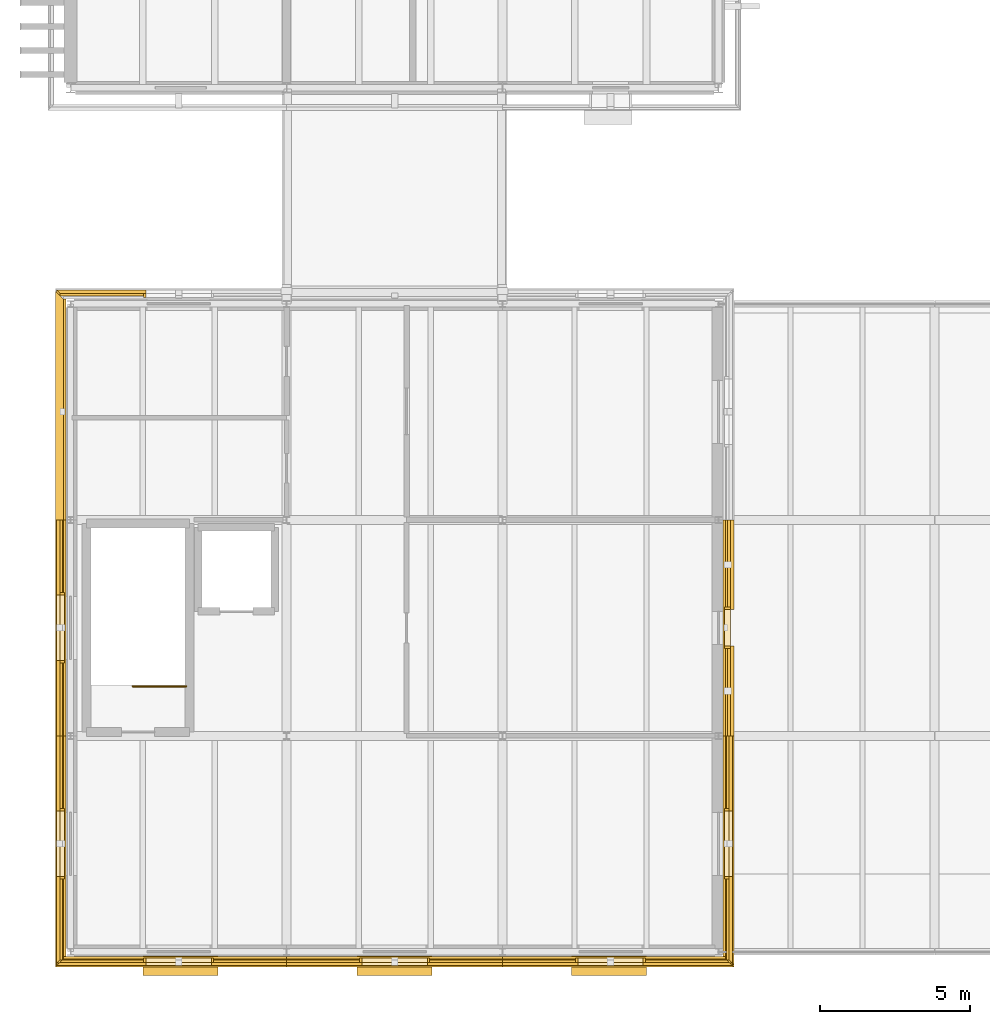
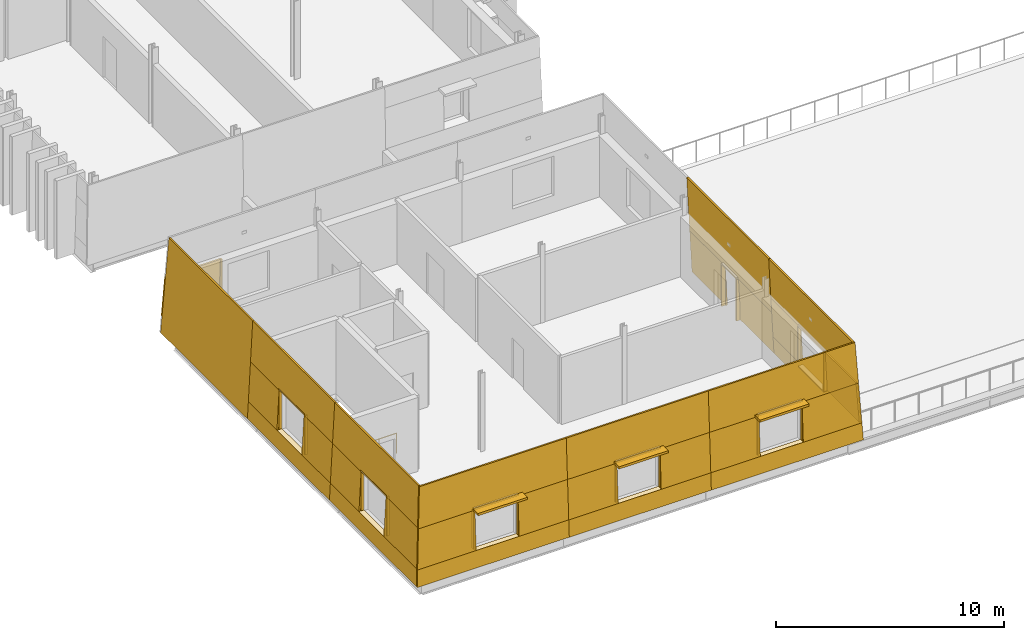
# One storey, part 91 of 115: 57 coverings, 3 shading devices, 1 railing.
"""IFC4 building model written with IfcOpenShell, lengths in metres."""

from ifc_helpers import new_model, si_unit, direction, frame, origin, origin_2d, place, context, subcontext, project, spatial, polyline, rectangle, circle, outline, extrude, material, layer, layer_set, type_object, element, save


model = new_model("IFC4")

# Units and contexts
model_context = context("Model", 3, precision=1e-05, world=origin(), true_north=direction((0.0, 1.0)))
body_context = subcontext(model_context, "Body", "Model", "MODEL_VIEW")
ifc_project = project(units=[si_unit("LENGTHUNIT", "METRE"), si_unit("AREAUNIT", "SQUARE_METRE"), si_unit("VOLUMEUNIT", "CUBIC_METRE"), si_unit("PLANEANGLEUNIT", "RADIAN"), si_unit("MASSUNIT", "GRAM", prefix="KILO")], contexts=[model_context])

# Site, building, storey
site_placement = place(None, origin())
site = spatial("IfcSite", under=ifc_project, at=site_placement, CompositionType="ELEMENT")
building_placement = place(site_placement, origin())
building = spatial("IfcBuilding", under=site, at=building_placement, Name="Narikvali Park Central Library", CompositionType="ELEMENT")
storey_placement = place(building_placement, frame((0.0, 0.0, 10.199951171875)))
storey = spatial("IfcBuildingStorey", under=building, at=storey_placement, Name="L02", CompositionType="ELEMENT", Elevation=10.199951171875)

# Coverings
ifc_material_1 = material(Name="White Honed Limestone Cladding", Category="masonry")
ifc_layer_1 = layer(ifc_material_1, 0.0849609375, Name="White Honed Limestone Cladding")
ifc_layer_set_1 = layer_set([ifc_layer_1], Name="White Honed Limestone Cladding")
covering_type_1 = type_object("IfcCoveringType", Name="Battered White Limestone Facade Cladding Panel", PredefinedType="CLADDING", material=ifc_layer_set_1)
covering_1_placement = place(storey_placement, frame((-0.50830078125, -0.50830078125, 0.0), z_axis=(0.0, -0.998646856064, 0.05200439283), x_axis=(1.0, 0.0, 0.0)))
element("IfcCovering", 1, at=covering_1_placement, inside=storey, type_object=covering_type_1, Name="V2 L02 S Battered Limestone Spandrel B01", PredefinedType="CLADDING", context=body_context, shape_type="SweptSolid", body=[
    extrude(outline(polyline([(0.0, 0.0), (7.708251953125, 0.0), (7.708251953125, 0.9013661625320046), (0.046875, 0.9013661625320046), (0.0, 0.0)])), origin(), (0.0, 0.0, -1.0), 0.0849609375),
])
covering_2_placement = place(storey_placement, frame((-0.35205078125, -0.35205078125, 3.0), z_axis=(0.0, -0.998644636632, 0.052046995369), x_axis=(1.0, 0.0, 0.0)))
element("IfcCovering", 2, at=covering_2_placement, inside=storey, type_object=covering_type_1, Name="V2 L02 S Battered Limestone Lintel B01", PredefinedType="CLADDING", context=body_context, shape_type="SweptSolid", body=[
    extrude(outline(polyline([(0.0, 0.0), (7.552001953125, 0.0), (7.552001953125, 2.1530646693576334), (0.112060546875, 2.1530646693576334), (0.0, 0.0)])), origin(), (0.0, 0.0, -1.0), 0.0849609375),
])
covering_3_placement = place(storey_placement, frame((-0.46142578125, -0.46142578125, 0.900146484375), z_axis=(0.0, -0.998646227972, 0.052016452753), x_axis=(1.0, 0.0, 0.0)))
element("IfcCovering", 3, at=covering_3_placement, inside=storey, type_object=covering_type_1, Name="V2 L02 S Battered Limestone Jamb Pier L B01", PredefinedType="CLADDING", context=body_context, shape_type="SweptSolid", body=[
    extrude(outline(polyline([(0.0, 0.0), (2.971435546875, 0.0), (2.971435546875, 2.102700092192815), (0.109375, 2.102700092192815), (0.0, 0.0)])), origin(), (0.0, 0.0, -1.0), 0.0849609375),
])
covering_4_placement = place(storey_placement, frame((4.68994140625, -0.46142578125, 0.900146484375), z_axis=(0.0, -0.998646227972, 0.052016452753), x_axis=(1.0, 0.0, 0.0)))
element("IfcCovering", 4, at=covering_4_placement, inside=storey, type_object=covering_type_1, Name="V2 L02 S Battered Limestone Jamb Pier R B01", PredefinedType="CLADDING", context=body_context, shape_type="SweptSolid", body=[
    extrude(outline(polyline([(0.0, 0.0), (2.510009765625, 0.0), (2.510009765625, 2.102700092192815), (0.0, 2.102700092192815), (0.0, 0.0)])), origin(), (0.0, 0.0, -1.0), 0.0849609375),
])
covering_5_placement = place(storey_placement, frame((7.199951171875, -0.50830078125, 0.0), z_axis=(0.0, -0.998646856064, 0.05200439283), x_axis=(1.0, 0.0, 0.0)))
element("IfcCovering", 5, at=covering_5_placement, inside=storey, type_object=covering_type_1, Name="V2 L02 S Battered Limestone Spandrel B02", PredefinedType="CLADDING", context=body_context, shape_type="SweptSolid", body=[
    extrude(outline(polyline([(0.0, 0.0), (7.199951171875, 0.0), (7.199951171875, 0.9013661625320046), (0.0, 0.9013661625320046), (0.0, 0.0)])), origin(), (0.0, 0.0, -1.0), 0.0849609375),
])
covering_6_placement = place(storey_placement, frame((7.199951171875, -0.35205078125, 3.0), z_axis=(0.0, -0.998644636632, 0.052046995369), x_axis=(1.0, 0.0, 0.0)))
element("IfcCovering", 6, at=covering_6_placement, inside=storey, type_object=covering_type_1, Name="V2 L02 S Battered Limestone Lintel B02", PredefinedType="CLADDING", context=body_context, shape_type="SweptSolid", body=[
    extrude(outline(polyline([(0.0, 0.0), (7.199951171875, 0.0), (7.199951171875, 2.153064669357634), (0.0, 2.153064669357634), (0.0, 0.0)])), origin(), (0.0, 0.0, -1.0), 0.0849609375),
])
for number, where, z_axis, x_axis, name in (
    (7, (7.199951171875, -0.46142578125, 0.900146484375), (0.0, -0.998646227972, 0.052016452753), (1.0, 0.0, 0.0), "V2 L02 S Battered Limestone Jamb Pier L B02"),
    (8, (11.889892578125, -0.46142578125, 0.900146484375), (0.0, -0.998646227972, 0.052016452753), (1.0, 0.0, 0.0), "V2 L02 S Battered Limestone Jamb Pier R B02"),
):
    element("IfcCovering", number, at=place(storey_placement, frame(where, z_axis=z_axis, x_axis=x_axis)), inside=storey, type_object=covering_type_1, Name=name, PredefinedType="CLADDING", context=body_context, shape_type="SweptSolid", body=[
        extrude(outline(polyline([(0.0, 0.0), (2.510009765625, 0.0), (2.510009765625, 2.102700092192815), (0.0, 2.102700092192815), (0.0, 0.0)])), origin(), (0.0, 0.0, -1.0), 0.0849609375),
    ])
covering_7_placement = place(storey_placement, frame((14.39990234375, -0.50830078125, 0.0), z_axis=(0.0, -0.998646856064, 0.05200439283), x_axis=(1.0, 0.0, 0.0)))
element("IfcCovering", 9, at=covering_7_placement, inside=storey, type_object=covering_type_1, Name="V2 L02 S Battered Limestone Spandrel B03", PredefinedType="CLADDING", context=body_context, shape_type="SweptSolid", body=[
    extrude(outline(polyline([(0.0, 0.0), (7.70849609375, 0.0), (7.66162109375, 0.9013661625320046), (0.0, 0.9013661625320046), (0.0, 0.0)])), origin(), (0.0, 0.0, -1.0), 0.0849609375),
])
covering_8_placement = place(storey_placement, frame((14.39990234375, -0.35205078125, 3.0), z_axis=(0.0, -0.998644636632, 0.052046995369), x_axis=(1.0, 0.0, 0.0)))
element("IfcCovering", 10, at=covering_8_placement, inside=storey, type_object=covering_type_1, Name="V2 L02 S Battered Limestone Lintel B03", PredefinedType="CLADDING", context=body_context, shape_type="SweptSolid", body=[
    extrude(outline(polyline([(0.0, 0.0), (7.55224609375, 0.0), (7.440185546875, 2.1530646693576334), (0.0, 2.1530646693576334), (0.0, 0.0)])), origin(), (0.0, 0.0, -1.0), 0.0849609375),
])
covering_9_placement = place(storey_placement, frame((14.39990234375, -0.46142578125, 0.900146484375), z_axis=(0.0, -0.998646227972, 0.052016452753), x_axis=(1.0, 0.0, 0.0)))
element("IfcCovering", 11, at=covering_9_placement, inside=storey, type_object=covering_type_1, Name="V2 L02 S Battered Limestone Jamb Pier L B03", PredefinedType="CLADDING", context=body_context, shape_type="SweptSolid", body=[
    extrude(outline(polyline([(0.0, 0.0), (2.510009765625, 0.0), (2.510009765625, 2.102700092192815), (0.0, 2.102700092192815), (0.0, 0.0)])), origin(), (0.0, 0.0, -1.0), 0.0849609375),
])
covering_10_placement = place(storey_placement, frame((19.090087890625, -0.46142578125, 0.900146484375), z_axis=(0.0, -0.998646227972, 0.052016452753), x_axis=(1.0, 0.0, 0.0)))
element("IfcCovering", 12, at=covering_10_placement, inside=storey, type_object=covering_type_1, Name="V2 L02 S Battered Limestone Jamb Pier R B03", PredefinedType="CLADDING", context=body_context, shape_type="SweptSolid", body=[
    extrude(outline(polyline([(0.0, 0.0), (2.971435546875, 0.0), (2.862060546875, 2.102700092192815), (0.0, 2.102700092192815), (0.0, 0.0)])), origin(), (0.0, 0.0, -1.0), 0.0849609375),
])
covering_11_placement = place(storey_placement, frame((22.1083984375, -0.42333984375, 0.0), z_axis=(0.998646856064, 0.0, 0.05200439283), x_axis=(0.0, 1.0, 0.0)))
element("IfcCovering", 13, at=covering_11_placement, inside=storey, type_object=covering_type_1, Name="V2 L02 E Battered Limestone Spandrel B01", PredefinedType="CLADDING", context=body_context, shape_type="SweptSolid", body=[
    extrude(outline(polyline([(0.0, 0.0), (7.623291015625, 0.0), (7.623291015625, 0.9013661625320046), (0.046875, 0.9013661625320046), (0.0, 0.0)])), origin(), (0.0, 0.0, -1.0), 0.0849609375),
])
covering_12_placement = place(storey_placement, frame((21.9521484375, -0.26708984375, 3.0), z_axis=(0.998644636632, 0.0, 0.052046995369), x_axis=(0.0, 1.0, 0.0)))
element("IfcCovering", 14, at=covering_12_placement, inside=storey, type_object=covering_type_1, Name="V2 L02 E Battered Limestone Lintel B01", PredefinedType="CLADDING", context=body_context, shape_type="SweptSolid", body=[
    extrude(outline(polyline([(0.0, 0.0), (7.467041015625, 0.0), (7.467041015625, 2.153064669357634), (0.112060546875, 2.153064669357634), (0.0, 0.0)])), origin(), (0.0, 0.0, -1.0), 0.0849609375),
])
covering_13_placement = place(storey_placement, frame((22.0615234375, -0.37646484375, 0.900146484375), z_axis=(0.998646227972, 0.0, 0.052016452753), x_axis=(0.0, 1.0, 0.0)))
element("IfcCovering", 15, at=covering_13_placement, inside=storey, type_object=covering_type_1, Name="V2 L02 E Battered Limestone Jamb Pier L B01", PredefinedType="CLADDING", context=body_context, shape_type="SweptSolid", body=[
    extrude(outline(polyline([(0.0, 0.0), (2.886474609375, 0.0), (2.886474609375, 2.102700092192815), (0.109375, 2.102700092192815), (0.0, 0.0)])), origin(), (0.0, 0.0, -1.0), 0.0849609375),
])
covering_14_placement = place(storey_placement, frame((22.0615234375, 4.68994140625, 0.900146484375), z_axis=(0.998646227972, 0.0, 0.052016452753), x_axis=(0.0, 1.0, 0.0)))
element("IfcCovering", 16, at=covering_14_placement, inside=storey, type_object=covering_type_1, Name="V2 L02 E Battered Limestone Jamb Pier R B01", PredefinedType="CLADDING", context=body_context, shape_type="SweptSolid", body=[
    extrude(outline(polyline([(0.0, 0.0), (2.510009765625, 0.0), (2.510009765625, 2.102700092192815), (0.0, 2.102700092192815), (0.0, 0.0)])), origin(), (0.0, 0.0, -1.0), 0.0849609375),
])
for number, where, z_axis, x_axis, name in (
    (17, (22.1083984375, 7.199951171875, 0.0), (0.998645650741, 0.0, 0.05202753363), (0.0, 1.0, 0.0), "V2 L02 E Battered Portal Pier L B02"),
    (18, (22.1083984375, 11.409912109375, 0.0), (0.998645650741, 0.0, 0.05202753363), (0.0, 1.0, 0.0), "V2 L02 E Battered Portal Pier R B02"),
):
    element("IfcCovering", number, at=place(storey_placement, frame(where, z_axis=z_axis, x_axis=x_axis)), inside=storey, type_object=covering_type_1, Name=name, PredefinedType="CLADDING", context=body_context, shape_type="SweptSolid", body=[
        extrude(outline(polyline([(0.0, 0.0), (2.989990234375, 0.0), (2.989990234375, 2.2430280777895373), (0.0, 2.2430280777895373), (0.0, 0.0)])), origin(), (0.0, 0.0, -1.0), 0.0849609375),
    ])
covering_15_placement = place(storey_placement, frame((21.99169921875, 7.199951171875, 2.239990234375), z_axis=(0.998645691068, 0.0, 0.052026759577), x_axis=(0.0, 1.0, 0.0)))
element("IfcCovering", 19, at=covering_15_placement, inside=storey, type_object=covering_type_1, Name="V2 L02 E Battered Portal Header B02", PredefinedType="CLADDING", context=body_context, shape_type="SweptSolid", body=[
    extrude(outline(polyline([(0.0, 0.0), (7.199951171875, 0.0), (7.199951171875, 2.914102845513502), (0.0, 2.914102845513502), (0.0, 0.0)])), origin(), (0.0, 0.0, -1.0), 0.0849609375),
])
covering_16_placement = place(storey_placement, frame((2.510009765625, 22.0615234375, 0.900146484375), z_axis=(0.0, 0.998646227972, 0.052016452753), x_axis=(-1.0, 0.0, 0.0)))
element("IfcCovering", 20, at=covering_16_placement, inside=storey, type_object=covering_type_1, Name="V2 L02 N Battered Limestone Jamb Pier R B03", PredefinedType="CLADDING", context=body_context, shape_type="SweptSolid", body=[
    extrude(outline(polyline([(0.0, 0.0), (2.971435546875, 0.0), (2.862060546875, 2.102700092192815), (0.0, 2.102700092192815), (0.0, 0.0)])), origin(), (0.0, 0.0, -1.0), 0.0849609375),
])
covering_17_placement = place(storey_placement, frame((-0.50830078125, 22.0234375, 0.0), z_axis=(-0.998645673528, 0.0, 0.052027096241), x_axis=(0.0, -1.0, 0.0)))
element("IfcCovering", 21, at=covering_17_placement, inside=storey, type_object=covering_type_1, Name="V2 L02 W Battered Limestone Panel B01", PredefinedType="CLADDING", context=body_context, shape_type="SweptSolid", body=[
    extrude(outline(polyline([(0.0, 0.0), (7.62353515625, 0.0), (7.62353515625, 5.157130923302659), (0.2685546875, 5.157130923302659), (0.0, 0.0)])), origin(), (0.0, 0.0, -1.0), 0.0849609375),
])
covering_18_placement = place(storey_placement, frame((-0.50830078125, 14.39990234375, 0.0), z_axis=(-0.998646856064, 0.0, 0.05200439283), x_axis=(0.0, -1.0, 0.0)))
element("IfcCovering", 22, at=covering_18_placement, inside=storey, type_object=covering_type_1, Name="V2 L02 W Battered Limestone Spandrel B02", PredefinedType="CLADDING", context=body_context, shape_type="SweptSolid", body=[
    extrude(outline(polyline([(0.0, 0.0), (7.199951171875, 0.0), (7.199951171875, 0.9013661625320046), (0.0, 0.9013661625320046), (0.0, 0.0)])), origin(), (0.0, 0.0, -1.0), 0.0849609375),
])
covering_19_placement = place(storey_placement, frame((-0.35205078125, 14.39990234375, 3.0), z_axis=(-0.998644636632, 0.0, 0.052046995369), x_axis=(0.0, -1.0, 0.0)))
element("IfcCovering", 23, at=covering_19_placement, inside=storey, type_object=covering_type_1, Name="V2 L02 W Battered Limestone Lintel B02", PredefinedType="CLADDING", context=body_context, shape_type="SweptSolid", body=[
    extrude(outline(polyline([(0.0, 0.0), (7.199951171875, 0.0), (7.199951171875, 2.153064669357634), (0.0, 2.153064669357634), (0.0, 0.0)])), origin(), (0.0, 0.0, -1.0), 0.0849609375),
])
for number, where, z_axis, x_axis, name in (
    (24, (-0.46142578125, 14.39990234375, 0.900146484375), (-0.998646227972, 0.0, 0.052016452753), (0.0, -1.0, 0.0), "V2 L02 W Battered Limestone Jamb Pier L B02"),
    (25, (-0.46142578125, 9.7099609375, 0.900146484375), (-0.998646227972, 0.0, 0.052016452753), (0.0, -1.0, 0.0), "V2 L02 W Battered Limestone Jamb Pier R B02"),
):
    element("IfcCovering", number, at=place(storey_placement, frame(where, z_axis=z_axis, x_axis=x_axis)), inside=storey, type_object=covering_type_1, Name=name, PredefinedType="CLADDING", context=body_context, shape_type="SweptSolid", body=[
        extrude(outline(polyline([(0.0, 0.0), (2.510009765625, 0.0), (2.510009765625, 2.102700092192815), (0.0, 2.102700092192815), (0.0, 0.0)])), origin(), (0.0, 0.0, -1.0), 0.0849609375),
    ])
covering_20_placement = place(storey_placement, frame((-0.50830078125, 7.199951171875, 0.0), z_axis=(-0.998646856064, 0.0, 0.05200439283), x_axis=(0.0, -1.0, 0.0)))
element("IfcCovering", 26, at=covering_20_placement, inside=storey, type_object=covering_type_1, Name="V2 L02 W Battered Limestone Spandrel B03", PredefinedType="CLADDING", context=body_context, shape_type="SweptSolid", body=[
    extrude(outline(polyline([(0.0, 0.0), (7.623291015625, 0.0), (7.576416015625, 0.9013661625320046), (0.0, 0.9013661625320046), (0.0, 0.0)])), origin(), (0.0, 0.0, -1.0), 0.0849609375),
])
covering_21_placement = place(storey_placement, frame((-0.35205078125, 7.199951171875, 3.0), z_axis=(-0.998644636632, 0.0, 0.052046995369), x_axis=(0.0, -1.0, 0.0)))
element("IfcCovering", 27, at=covering_21_placement, inside=storey, type_object=covering_type_1, Name="V2 L02 W Battered Limestone Lintel B03", PredefinedType="CLADDING", context=body_context, shape_type="SweptSolid", body=[
    extrude(outline(polyline([(0.0, 0.0), (7.467041015625, 0.0), (7.35498046875, 2.153064669357634), (0.0, 2.153064669357634), (0.0, 0.0)])), origin(), (0.0, 0.0, -1.0), 0.0849609375),
])
covering_22_placement = place(storey_placement, frame((-0.46142578125, 7.199951171875, 0.900146484375), z_axis=(-0.998646227972, 0.0, 0.052016452753), x_axis=(0.0, -1.0, 0.0)))
element("IfcCovering", 28, at=covering_22_placement, inside=storey, type_object=covering_type_1, Name="V2 L02 W Battered Limestone Jamb Pier L B03", PredefinedType="CLADDING", context=body_context, shape_type="SweptSolid", body=[
    extrude(outline(polyline([(0.0, 0.0), (2.510009765625, 0.0), (2.510009765625, 2.102700092192815), (0.0, 2.102700092192815), (0.0, 0.0)])), origin(), (0.0, 0.0, -1.0), 0.0849609375),
])
covering_23_placement = place(storey_placement, frame((-0.46142578125, 2.510009765625, 0.900146484375), z_axis=(-0.998646227972, 0.0, 0.052016452753), x_axis=(0.0, -1.0, 0.0)))
element("IfcCovering", 29, at=covering_23_placement, inside=storey, type_object=covering_type_1, Name="V2 L02 W Battered Limestone Jamb Pier R B03", PredefinedType="CLADDING", context=body_context, shape_type="SweptSolid", body=[
    extrude(outline(polyline([(0.0, 0.0), (2.886474609375, 0.0), (2.777099609375, 2.102700092192815), (0.0, 2.102700092192815), (0.0, 0.0)])), origin(), (0.0, 0.0, -1.0), 0.0849609375),
])

# Shading devices
ifc_material_2 = material(Name="Anodised Bronze Aluminium", Category="aluminium")
ifc_layer_2 = layer(ifc_material_2, 0.1201171875, Name="Anodised Bronze Aluminium")
ifc_layer_set_2 = layer_set([ifc_layer_2], Name="Anodised Bronze Aluminium")
shading_device_type = type_object("IfcShadingDeviceType", Name="Bronze Classical Cornice Sun Brise-Soleil 650", PredefinedType="SHUTTER", material=ifc_layer_set_2)
for number, where, z_axis, x_axis, name in (
    (30, (3.656982421875, -0.47216796875, 3.0), (0.0, 0.0, 1.0), (1.0, 0.0, 0.0), "V2 L02 Classical Bronze Brise-Soleil 01"),
    (31, (10.800048828125, -0.47216796875, 3.0), (0.0, 0.0, 1.0), (1.0, 0.0, 0.0), "V2 L02 Classical Bronze Brise-Soleil 02"),
    (32, (17.943115234375, -0.47216796875, 3.0), (0.0, 0.0, 1.0), (1.0, 0.0, 0.0), "V2 L02 Classical Bronze Brise-Soleil 03"),
):
    element("IfcShadingDevice", number, at=place(storey_placement, frame(where, z_axis=z_axis, x_axis=x_axis)), inside=storey, type_object=shading_device_type, Name=name, PredefinedType="SHUTTER", context=body_context, shape_type="SweptSolid", body=[
        extrude(rectangle(XDim=2.5, YDim=0.64990234375, at=origin_2d()), origin(), (0.0, 0.0, 1.0), 0.1201171875),
    ])

# Coverings
ifc_layer_3 = layer(ifc_material_1, 0.080078125, Name="White Honed Limestone Cladding")
ifc_layer_set_3 = layer_set([ifc_layer_3], Name="White Honed Limestone Cladding")
covering_type_2 = type_object("IfcCoveringType", Name="Deep Carved White Limestone Window Reveal", PredefinedType="CLADDING", material=ifc_layer_set_3)
covering_24_placement = place(storey_placement, frame((0.0, 0.0, 3.0)))
element("IfcCovering", 33, at=covering_24_placement, inside=storey, type_object=covering_type_2, Name="Deep Stone Reveal Head V2-RVL-L02-S-B01", PredefinedType="CLADDING", context=body_context, shape_type="SweptSolid", body=[
    extrude(outline(polyline([(2.469970703125, -0.205078125), (4.72998046875, -0.205078125), (4.72998046875, -0.35205078125), (2.469970703125, -0.35205078125), (2.469970703125, -0.205078125)])), origin(), (0.0, 0.0, 1.0), 0.080078125),
])
covering_25_placement = place(storey_placement, frame((0.0, 0.0, 0.820068359375)))
element("IfcCovering", 34, at=covering_25_placement, inside=storey, type_object=covering_type_2, Name="Deep Stone Reveal Sill V2-RVL-L02-S-B01", PredefinedType="CLADDING", context=body_context, shape_type="SweptSolid", body=[
    extrude(outline(polyline([(2.469970703125, -0.205078125), (4.72998046875, -0.205078125), (4.72998046875, -0.46142578125), (2.469970703125, -0.46142578125), (2.469970703125, -0.205078125)])), origin(), (0.0, 0.0, 1.0), 0.080078125),
])
covering_26_placement = place(storey_placement, frame((0.0, 0.0, 0.900146484375)))
element("IfcCovering", 35, at=covering_26_placement, inside=storey, type_object=covering_type_2, Name="Deep Stone Reveal Jamb L V2-RVL-L02-S-B01", PredefinedType="CLADDING", context=body_context, shape_type="SweptSolid", body=[
    extrude(outline(polyline([(2.429931640625, -0.205078125), (2.510009765625, -0.205078125), (2.510009765625, -0.35205078125), (2.429931640625, -0.35205078125), (2.429931640625, -0.205078125)])), origin(), (0.0, 0.0, 1.0), 2.099853515625),
])
covering_27_placement = place(storey_placement, frame((0.0, 0.0, 0.900146484375)))
element("IfcCovering", 36, at=covering_27_placement, inside=storey, type_object=covering_type_2, Name="Deep Stone Reveal Jamb R V2-RVL-L02-S-B01", PredefinedType="CLADDING", context=body_context, shape_type="SweptSolid", body=[
    extrude(outline(polyline([(4.68994140625, -0.205078125), (4.77001953125, -0.205078125), (4.77001953125, -0.35205078125), (4.68994140625, -0.35205078125), (4.68994140625, -0.205078125)])), origin(), (0.0, 0.0, 1.0), 2.099853515625),
])
covering_28_placement = place(storey_placement, frame((0.0, 0.0, 3.0)))
element("IfcCovering", 37, at=covering_28_placement, inside=storey, type_object=covering_type_2, Name="Deep Stone Reveal Head V2-RVL-L02-S-B02", PredefinedType="CLADDING", context=body_context, shape_type="SweptSolid", body=[
    extrude(outline(polyline([(9.669921875, -0.205078125), (11.929931640625, -0.205078125), (11.929931640625, -0.35205078125), (9.669921875, -0.35205078125), (9.669921875, -0.205078125)])), origin(), (0.0, 0.0, 1.0), 0.080078125),
])
covering_29_placement = place(storey_placement, frame((0.0, 0.0, 0.820068359375)))
element("IfcCovering", 38, at=covering_29_placement, inside=storey, type_object=covering_type_2, Name="Deep Stone Reveal Sill V2-RVL-L02-S-B02", PredefinedType="CLADDING", context=body_context, shape_type="SweptSolid", body=[
    extrude(outline(polyline([(9.669921875, -0.205078125), (11.929931640625, -0.205078125), (11.929931640625, -0.46142578125), (9.669921875, -0.46142578125), (9.669921875, -0.205078125)])), origin(), (0.0, 0.0, 1.0), 0.080078125),
])
covering_30_placement = place(storey_placement, frame((0.0, 0.0, 0.900146484375)))
element("IfcCovering", 39, at=covering_30_placement, inside=storey, type_object=covering_type_2, Name="Deep Stone Reveal Jamb L V2-RVL-L02-S-B02", PredefinedType="CLADDING", context=body_context, shape_type="SweptSolid", body=[
    extrude(outline(polyline([(9.6298828125, -0.205078125), (9.7099609375, -0.205078125), (9.7099609375, -0.35205078125), (9.6298828125, -0.35205078125), (9.6298828125, -0.205078125)])), origin(), (0.0, 0.0, 1.0), 2.099853515625),
])
covering_31_placement = place(storey_placement, frame((0.0, 0.0, 0.900146484375)))
element("IfcCovering", 40, at=covering_31_placement, inside=storey, type_object=covering_type_2, Name="Deep Stone Reveal Jamb R V2-RVL-L02-S-B02", PredefinedType="CLADDING", context=body_context, shape_type="SweptSolid", body=[
    extrude(outline(polyline([(11.889892578125, -0.205078125), (11.969970703125, -0.205078125), (11.969970703125, -0.35205078125), (11.889892578125, -0.35205078125), (11.889892578125, -0.205078125)])), origin(), (0.0, 0.0, 1.0), 2.099853515625),
])
covering_32_placement = place(storey_placement, frame((0.0, 0.0, 3.0)))
element("IfcCovering", 41, at=covering_32_placement, inside=storey, type_object=covering_type_2, Name="Deep Stone Reveal Head V2-RVL-L02-S-B03", PredefinedType="CLADDING", context=body_context, shape_type="SweptSolid", body=[
    extrude(outline(polyline([(16.8701171875, -0.205078125), (19.1298828125, -0.205078125), (19.1298828125, -0.35205078125), (16.8701171875, -0.35205078125), (16.8701171875, -0.205078125)])), origin(), (0.0, 0.0, 1.0), 0.080078125),
])
covering_33_placement = place(storey_placement, frame((0.0, 0.0, 0.820068359375)))
element("IfcCovering", 42, at=covering_33_placement, inside=storey, type_object=covering_type_2, Name="Deep Stone Reveal Sill V2-RVL-L02-S-B03", PredefinedType="CLADDING", context=body_context, shape_type="SweptSolid", body=[
    extrude(outline(polyline([(16.8701171875, -0.205078125), (19.1298828125, -0.205078125), (19.1298828125, -0.46142578125), (16.8701171875, -0.46142578125), (16.8701171875, -0.205078125)])), origin(), (0.0, 0.0, 1.0), 0.080078125),
])
covering_34_placement = place(storey_placement, frame((0.0, 0.0, 0.900146484375)))
element("IfcCovering", 43, at=covering_34_placement, inside=storey, type_object=covering_type_2, Name="Deep Stone Reveal Jamb L V2-RVL-L02-S-B03", PredefinedType="CLADDING", context=body_context, shape_type="SweptSolid", body=[
    extrude(outline(polyline([(16.830078125, -0.205078125), (16.909912109375, -0.205078125), (16.909912109375, -0.35205078125), (16.830078125, -0.35205078125), (16.830078125, -0.205078125)])), origin(), (0.0, 0.0, 1.0), 2.099853515625),
])
covering_35_placement = place(storey_placement, frame((0.0, 0.0, 0.900146484375)))
element("IfcCovering", 44, at=covering_35_placement, inside=storey, type_object=covering_type_2, Name="Deep Stone Reveal Jamb R V2-RVL-L02-S-B03", PredefinedType="CLADDING", context=body_context, shape_type="SweptSolid", body=[
    extrude(outline(polyline([(19.090087890625, -0.205078125), (19.169921875, -0.205078125), (19.169921875, -0.35205078125), (19.090087890625, -0.35205078125), (19.090087890625, -0.205078125)])), origin(), (0.0, 0.0, 1.0), 2.099853515625),
])
covering_36_placement = place(storey_placement, frame((0.0, 0.0, 3.0)))
element("IfcCovering", 45, at=covering_36_placement, inside=storey, type_object=covering_type_2, Name="Deep Stone Reveal Head V2-RVL-L02-E-B01", PredefinedType="CLADDING", context=body_context, shape_type="SweptSolid", body=[
    extrude(outline(polyline([(21.804931640625, 2.469970703125), (21.804931640625, 4.72998046875), (21.9521484375, 4.72998046875), (21.9521484375, 2.469970703125), (21.804931640625, 2.469970703125)])), origin(), (0.0, 0.0, 1.0), 0.080078125),
])
covering_37_placement = place(storey_placement, frame((0.0, 0.0, 0.820068359375)))
element("IfcCovering", 46, at=covering_37_placement, inside=storey, type_object=covering_type_2, Name="Deep Stone Reveal Sill V2-RVL-L02-E-B01", PredefinedType="CLADDING", context=body_context, shape_type="SweptSolid", body=[
    extrude(outline(polyline([(21.804931640625, 2.469970703125), (21.804931640625, 4.72998046875), (22.0615234375, 4.72998046875), (22.0615234375, 2.469970703125), (21.804931640625, 2.469970703125)])), origin(), (0.0, 0.0, 1.0), 0.080078125),
])
covering_38_placement = place(storey_placement, frame((0.0, 0.0, 0.900146484375)))
element("IfcCovering", 47, at=covering_38_placement, inside=storey, type_object=covering_type_2, Name="Deep Stone Reveal Jamb L V2-RVL-L02-E-B01", PredefinedType="CLADDING", context=body_context, shape_type="SweptSolid", body=[
    extrude(outline(polyline([(21.804931640625, 2.429931640625), (21.804931640625, 2.510009765625), (21.9521484375, 2.510009765625), (21.9521484375, 2.429931640625), (21.804931640625, 2.429931640625)])), origin(), (0.0, 0.0, 1.0), 2.099853515625),
])
covering_39_placement = place(storey_placement, frame((0.0, 0.0, 0.900146484375)))
element("IfcCovering", 48, at=covering_39_placement, inside=storey, type_object=covering_type_2, Name="Deep Stone Reveal Jamb R V2-RVL-L02-E-B01", PredefinedType="CLADDING", context=body_context, shape_type="SweptSolid", body=[
    extrude(outline(polyline([(21.804931640625, 4.68994140625), (21.804931640625, 4.77001953125), (21.9521484375, 4.77001953125), (21.9521484375, 4.68994140625), (21.804931640625, 4.68994140625)])), origin(), (0.0, 0.0, 1.0), 2.099853515625),
])
covering_40_placement = place(storey_placement, frame((0.0, 0.0, 2.239990234375)))
element("IfcCovering", 49, at=covering_40_placement, inside=storey, type_object=covering_type_2, Name="Deep Stone Reveal Head V2-RVL-L02-E-B02", PredefinedType="CLADDING", context=body_context, shape_type="SweptSolid", body=[
    extrude(outline(polyline([(21.804931640625, 10.14990234375), (21.804931640625, 11.449951171875), (21.99169921875, 11.449951171875), (21.99169921875, 10.14990234375), (21.804931640625, 10.14990234375)])), origin(), (0.0, 0.0, 1.0), 0.080078125),
])
covering_41_placement = place(storey_placement, frame((0.0, 0.0, 0.02001953125)))
element("IfcCovering", 50, at=covering_41_placement, inside=storey, type_object=covering_type_2, Name="Deep Stone Reveal Jamb L V2-RVL-L02-E-B02", PredefinedType="CLADDING", context=body_context, shape_type="SweptSolid", body=[
    extrude(outline(polyline([(21.804931640625, 10.110107421875), (21.804931640625, 10.18994140625), (21.99169921875, 10.18994140625), (21.99169921875, 10.110107421875), (21.804931640625, 10.110107421875)])), origin(), (0.0, 0.0, 1.0), 2.219970703125),
])
covering_42_placement = place(storey_placement, frame((0.0, 0.0, 0.02001953125)))
element("IfcCovering", 51, at=covering_42_placement, inside=storey, type_object=covering_type_2, Name="Deep Stone Reveal Jamb R V2-RVL-L02-E-B02", PredefinedType="CLADDING", context=body_context, shape_type="SweptSolid", body=[
    extrude(outline(polyline([(21.804931640625, 11.409912109375), (21.804931640625, 11.489990234375), (21.99169921875, 11.489990234375), (21.99169921875, 11.409912109375), (21.804931640625, 11.409912109375)])), origin(), (0.0, 0.0, 1.0), 2.219970703125),
])
covering_43_placement = place(storey_placement, frame((0.0, 0.0, 0.900146484375)))
element("IfcCovering", 52, at=covering_43_placement, inside=storey, type_object=covering_type_2, Name="Deep Stone Reveal Jamb R V2-RVL-L02-N-B03", PredefinedType="CLADDING", context=body_context, shape_type="SweptSolid", body=[
    extrude(outline(polyline([(2.510009765625, 21.804931640625), (2.429931640625, 21.804931640625), (2.429931640625, 21.9521484375), (2.510009765625, 21.9521484375), (2.510009765625, 21.804931640625)])), origin(), (0.0, 0.0, 1.0), 2.099853515625),
])
covering_44_placement = place(storey_placement, frame((0.0, 0.0, 3.0)))
element("IfcCovering", 53, at=covering_44_placement, inside=storey, type_object=covering_type_2, Name="Deep Stone Reveal Head V2-RVL-L02-W-B02", PredefinedType="CLADDING", context=body_context, shape_type="SweptSolid", body=[
    extrude(outline(polyline([(-0.205078125, 11.929931640625), (-0.205078125, 9.669921875), (-0.35205078125, 9.669921875), (-0.35205078125, 11.929931640625), (-0.205078125, 11.929931640625)])), origin(), (0.0, 0.0, 1.0), 0.080078125),
])
covering_45_placement = place(storey_placement, frame((0.0, 0.0, 0.820068359375)))
element("IfcCovering", 54, at=covering_45_placement, inside=storey, type_object=covering_type_2, Name="Deep Stone Reveal Sill V2-RVL-L02-W-B02", PredefinedType="CLADDING", context=body_context, shape_type="SweptSolid", body=[
    extrude(outline(polyline([(-0.205078125, 11.929931640625), (-0.205078125, 9.669921875), (-0.46142578125, 9.669921875), (-0.46142578125, 11.929931640625), (-0.205078125, 11.929931640625)])), origin(), (0.0, 0.0, 1.0), 0.080078125),
])
covering_46_placement = place(storey_placement, frame((0.0, 0.0, 0.900146484375)))
element("IfcCovering", 55, at=covering_46_placement, inside=storey, type_object=covering_type_2, Name="Deep Stone Reveal Jamb L V2-RVL-L02-W-B02", PredefinedType="CLADDING", context=body_context, shape_type="SweptSolid", body=[
    extrude(outline(polyline([(-0.205078125, 11.969970703125), (-0.205078125, 11.889892578125), (-0.35205078125, 11.889892578125), (-0.35205078125, 11.969970703125), (-0.205078125, 11.969970703125)])), origin(), (0.0, 0.0, 1.0), 2.099853515625),
])
covering_47_placement = place(storey_placement, frame((0.0, 0.0, 0.900146484375)))
element("IfcCovering", 56, at=covering_47_placement, inside=storey, type_object=covering_type_2, Name="Deep Stone Reveal Jamb R V2-RVL-L02-W-B02", PredefinedType="CLADDING", context=body_context, shape_type="SweptSolid", body=[
    extrude(outline(polyline([(-0.205078125, 9.7099609375), (-0.205078125, 9.6298828125), (-0.35205078125, 9.6298828125), (-0.35205078125, 9.7099609375), (-0.205078125, 9.7099609375)])), origin(), (0.0, 0.0, 1.0), 2.099853515625),
])
covering_48_placement = place(storey_placement, frame((0.0, 0.0, 3.0)))
element("IfcCovering", 57, at=covering_48_placement, inside=storey, type_object=covering_type_2, Name="Deep Stone Reveal Head V2-RVL-L02-W-B03", PredefinedType="CLADDING", context=body_context, shape_type="SweptSolid", body=[
    extrude(outline(polyline([(-0.205078125, 4.72998046875), (-0.205078125, 2.469970703125), (-0.35205078125, 2.469970703125), (-0.35205078125, 4.72998046875), (-0.205078125, 4.72998046875)])), origin(), (0.0, 0.0, 1.0), 0.080078125),
])
covering_49_placement = place(storey_placement, frame((0.0, 0.0, 0.820068359375)))
element("IfcCovering", 58, at=covering_49_placement, inside=storey, type_object=covering_type_2, Name="Deep Stone Reveal Sill V2-RVL-L02-W-B03", PredefinedType="CLADDING", context=body_context, shape_type="SweptSolid", body=[
    extrude(outline(polyline([(-0.205078125, 4.72998046875), (-0.205078125, 2.469970703125), (-0.46142578125, 2.469970703125), (-0.46142578125, 4.72998046875), (-0.205078125, 4.72998046875)])), origin(), (0.0, 0.0, 1.0), 0.080078125),
])
covering_50_placement = place(storey_placement, frame((0.0, 0.0, 0.900146484375)))
element("IfcCovering", 59, at=covering_50_placement, inside=storey, type_object=covering_type_2, Name="Deep Stone Reveal Jamb L V2-RVL-L02-W-B03", PredefinedType="CLADDING", context=body_context, shape_type="SweptSolid", body=[
    extrude(outline(polyline([(-0.205078125, 4.77001953125), (-0.205078125, 4.68994140625), (-0.35205078125, 4.68994140625), (-0.35205078125, 4.77001953125), (-0.205078125, 4.77001953125)])), origin(), (0.0, 0.0, 1.0), 2.099853515625),
])
covering_51_placement = place(storey_placement, frame((0.0, 0.0, 0.900146484375)))
element("IfcCovering", 60, at=covering_51_placement, inside=storey, type_object=covering_type_2, Name="Deep Stone Reveal Jamb R V2-RVL-L02-W-B03", PredefinedType="CLADDING", context=body_context, shape_type="SweptSolid", body=[
    extrude(outline(polyline([(-0.205078125, 2.510009765625), (-0.205078125, 2.429931640625), (-0.35205078125, 2.429931640625), (-0.35205078125, 2.510009765625), (-0.205078125, 2.510009765625)])), origin(), (0.0, 0.0, 1.0), 2.099853515625),
])

# Railing
ifc_material_3 = material(Name="Powder-Coated Steel S275", Category="steel")
ifc_layer_4 = layer(ifc_material_3, 0.050048828125, Name="Powder-Coated Steel S275")
ifc_layer_set_4 = layer_set([ifc_layer_4], Name="Powder-Coated Steel S275")
railing_type = type_object("IfcRailingType", Name="Stair Well Steel Guardrail 1100", PredefinedType="GUARDRAIL", material=ifc_layer_set_4)
railing_placement = place(storey_placement, frame((3.85009765625, 8.85009765625, 0.0)))
element("IfcRailing", 61, at=railing_placement, inside=storey, type_object=railing_type, Name="L02 ST-03 top well guard 1", PredefinedType="GUARDRAIL", context=body_context, shape_type="SweptSolid", body=[
    extrude(circle(Radius=0.02392578125, at=origin_2d()), frame((0.0, 0.0, 1.076171875), z_axis=(-1.0, 0.0, 0.0), x_axis=(0.0, -1.0, 0.0)), (0.0, 0.0, 1.0), 1.780029296875),
    extrude(circle(Radius=0.02099609375, at=origin_2d()), origin(), (0.0, 0.0, 1.0), 1.052001953125),
    extrude(circle(Radius=0.02099609375, at=origin_2d()), frame((-0.89013671875, 0.0, 0.0)), (0.0, 0.0, 1.0), 1.052001953125),
    extrude(circle(Radius=0.02099609375, at=origin_2d()), frame((-1.780029296875, 0.0, 0.0)), (0.0, 0.0, 1.0), 1.052001953125),
])

save(model, "model.ifc")
